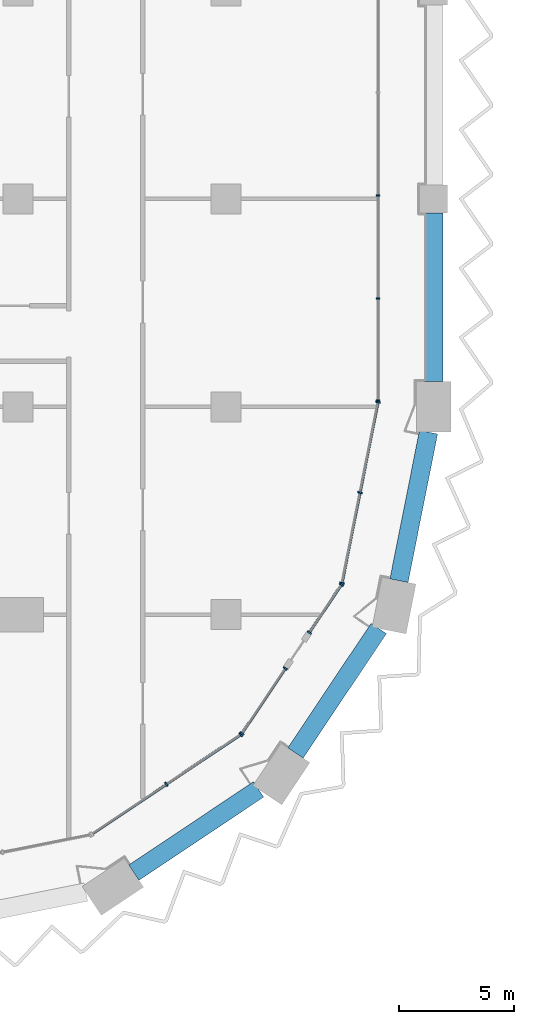
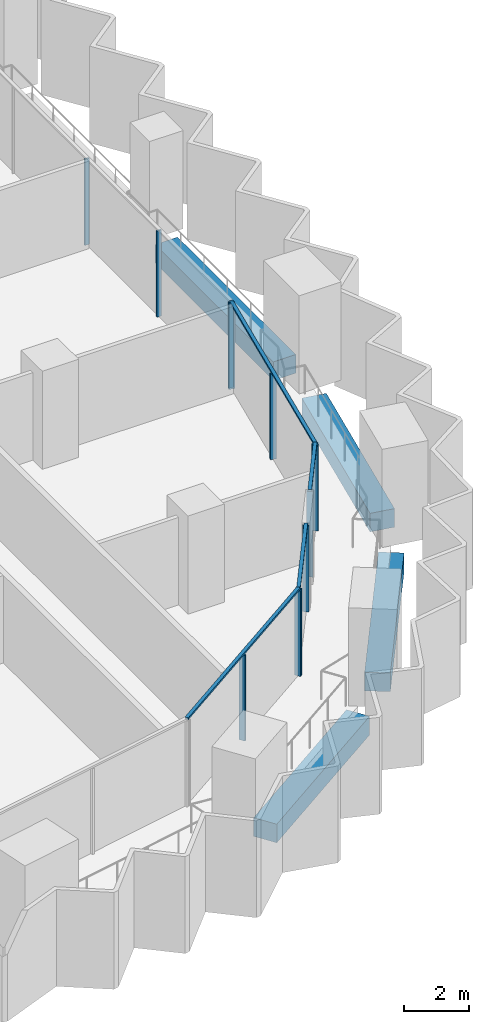
# One storey, part 3 of 22: 16 members, 4 beams, 5 elements without a shape of their own.
"""IFC4 building model written with IfcOpenShell, lengths in metres."""

from ifc_helpers import new_model, si_unit, direction, frame, origin, origin_2d, place, context, subcontext, project, spatial, rectangle, extrude, material, material_profile, profile_set, type_object, element, aggregate, save


model = new_model("IFC4")

# Units and contexts
model_context = context("Model", 3, precision=1e-05, world=origin(), true_north=direction((0.0, 1.0)))
body_context = subcontext(model_context, "Body", "Model", "MODEL_VIEW")
ifc_project = project(units=[si_unit("LENGTHUNIT", "METRE"), si_unit("AREAUNIT", "SQUARE_METRE"), si_unit("VOLUMEUNIT", "CUBIC_METRE"), si_unit("PLANEANGLEUNIT", "RADIAN"), si_unit("MASSUNIT", "GRAM", prefix="KILO")], contexts=[model_context])

# Site, building, storey
site_placement = place(None, origin())
site = spatial("IfcSite", under=ifc_project, at=site_placement, CompositionType="ELEMENT")
building_placement = place(site_placement, origin())
building = spatial("IfcBuilding", under=site, at=building_placement, Name="Hunhe Ridgeline Campus", CompositionType="ELEMENT")
storey_placement = place(building_placement, frame((0.0, 0.0, 114.39990234375)))
storey = spatial("IfcBuildingStorey", under=building, at=storey_placement, Name="L28", CompositionType="ELEMENT", Elevation=114.39990234375)

# Curtain wall, members
ifc_material_1 = material(Name="Aluminium 6063", Category="aluminium")
curtain_wall_type_1 = type_object("IfcCurtainWallType", Name="Curtain wall CW-1", PredefinedType="NOTDEFINED", material=ifc_material_1)
curtain_wall_1_placement = place(storey_placement, origin())
curtain_wall_1 = element("IfcCurtainWall", 1, at=curtain_wall_1_placement, inside=storey, type_object=curtain_wall_type_1, Name="Curtain wall 11", PredefinedType="NOTDEFINED")
ifc_material_profile_1 = material_profile(ifc_material_1, rectangle(XDim=0.159912109375, YDim=0.06005859375, at=origin_2d()))
ifc_profile_set_1 = profile_set([ifc_material_profile_1], Name="Aluminium 6063")
member_type_1 = type_object("IfcMemberType", Name="CW-1 aluminium mullion", PredefinedType="MULLION", material=ifc_profile_set_1)
member_1_placement = place(storey_placement, frame((42.59912109375, 27.266357421875, 0.0), z_axis=(0.0, 0.0, 1.0), x_axis=(-0.99999999994, 1.0947456e-05, 0.0)))
member_1 = element("IfcMember", 2, at=member_1_placement, type_object=member_type_1, Name="CW-1 mullion 1", PredefinedType="MULLION", context=body_context, shape_type="SweptSolid", body=[
    extrude(rectangle(XDim=0.159912109375, YDim=0.06005859375, at=origin_2d()), origin(), (0.0, 0.0, 1.0), 3.239990234375),
])
member_2_placement = place(storey_placement, frame((42.59912109375, 31.697265625, 0.0), z_axis=(0.0, 0.0, 1.0), x_axis=(-0.99999999994, 1.0947456e-05, 0.0)))
member_2 = element("IfcMember", 3, at=member_2_placement, type_object=member_type_1, Name="CW-1 mullion 2", PredefinedType="MULLION", context=body_context, shape_type="SweptSolid", body=[
    extrude(rectangle(XDim=0.159912109375, YDim=0.06005859375, at=origin_2d()), origin(), (0.0, 0.0, 1.0), 3.239990234375),
])
member_3_placement = place(storey_placement, frame((42.59912109375, 36.157958984375, 0.0), z_axis=(0.0, 0.0, 1.0), x_axis=(-0.99999999994, 1.0947456e-05, 0.0)))
member_3 = element("IfcMember", 4, at=member_3_placement, type_object=member_type_1, Name="CW-1 mullion 3", PredefinedType="MULLION", context=body_context, shape_type="SweptSolid", body=[
    extrude(rectangle(XDim=0.159912109375, YDim=0.06005859375, at=origin_2d()), origin(), (0.0, 0.0, 1.0), 3.239990234375),
])
aggregate(curtain_wall_1, [member_1, member_2, member_3])

curtain_wall_type_2 = type_object("IfcCurtainWallType", Name="Curtain wall CW-5", PredefinedType="NOTDEFINED", material=ifc_material_1)
curtain_wall_2_placement = place(storey_placement, origin())
curtain_wall_2 = element("IfcCurtainWall", 5, at=curtain_wall_2_placement, inside=storey, type_object=curtain_wall_type_2, Name="Curtain wall 07", PredefinedType="NOTDEFINED")
ifc_material_profile_2 = material_profile(ifc_material_1, rectangle(XDim=0.199951171875, YDim=0.070068359375, at=origin_2d()))
ifc_profile_set_2 = profile_set([ifc_material_profile_2], Name="Aluminium 6063")
member_type_2 = type_object("IfcMemberType", Name="CW-5 aluminium mullion", PredefinedType="MULLION", material=ifc_profile_set_2)
member_4_placement = place(storey_placement, frame((33.42626953125, 10.647705078125, 0.0), z_axis=(0.0, 0.0, 1.0), x_axis=(-0.555570274596, 0.831469584522, 0.0)))
member_4 = element("IfcMember", 6, at=member_4_placement, type_object=member_type_2, Name="CW-5 mullion 2", PredefinedType="MULLION", context=body_context, shape_type="SweptSolid", body=[
    extrude(rectangle(XDim=0.199951171875, YDim=0.070068359375, at=origin_2d()), origin(), (0.0, 0.0, 1.0), 3.22998046875),
])
member_5_placement = place(storey_placement, frame((36.649658203125, 12.8017578125, 0.0), z_axis=(0.0, 0.0, 1.0), x_axis=(-0.555570274596, 0.831469584522, 0.0)))
member_5 = element("IfcMember", 7, at=member_5_placement, type_object=member_type_2, Name="CW-5 mullion 3", PredefinedType="MULLION", context=body_context, shape_type="SweptSolid", body=[
    extrude(rectangle(XDim=0.199951171875, YDim=0.070068359375, at=origin_2d()), origin(), (0.0, 0.0, 1.0), 3.22998046875),
])

curtain_wall_3_placement = place(storey_placement, origin())
curtain_wall_3 = element("IfcCurtainWall", 8, at=curtain_wall_3_placement, inside=storey, type_object=curtain_wall_type_2, Name="Curtain wall 08", PredefinedType="NOTDEFINED")
member_6_placement = place(storey_placement, frame((36.6982421875, 12.850341796875, 0.0), z_axis=(0.0, 0.0, 1.0), x_axis=(-0.831469595944, 0.555570257501, 0.0)))
member_6 = element("IfcMember", 9, at=member_6_placement, type_object=member_type_2, Name="CW-5 mullion 1", PredefinedType="MULLION", context=body_context, shape_type="SweptSolid", body=[
    extrude(rectangle(XDim=0.199951171875, YDim=0.070068359375, at=origin_2d()), origin(), (0.0, 0.0, 1.0), 3.22998046875),
])
member_7_placement = place(storey_placement, frame((38.582763671875, 15.67041015625, 0.0), z_axis=(0.0, 0.0, 1.0), x_axis=(-0.831469595944, 0.555570257501, 0.0)))
member_7 = element("IfcMember", 10, at=member_7_placement, type_object=member_type_2, Name="CW-5 mullion 2", PredefinedType="MULLION", context=body_context, shape_type="SweptSolid", body=[
    extrude(rectangle(XDim=0.199951171875, YDim=0.070068359375, at=origin_2d()), origin(), (0.0, 0.0, 1.0), 3.22998046875),
])

curtain_wall_4_placement = place(storey_placement, origin())
curtain_wall_4 = element("IfcCurtainWall", 11, at=curtain_wall_4_placement, inside=storey, type_object=curtain_wall_type_2, Name="Curtain wall 09", PredefinedType="NOTDEFINED")
member_8_placement = place(storey_placement, frame((39.62158203125, 17.225341796875, 0.0), z_axis=(0.0, 0.0, 1.0), x_axis=(-0.831469510353, 0.555570385598, 0.0)))
member_8 = element("IfcMember", 12, at=member_8_placement, type_object=member_type_2, Name="CW-5 mullion 1", PredefinedType="MULLION", context=body_context, shape_type="SweptSolid", body=[
    extrude(rectangle(XDim=0.199951171875, YDim=0.070068359375, at=origin_2d()), origin(), (0.0, 0.0, 1.0), 3.22998046875),
])
member_9_placement = place(storey_placement, frame((41.006103515625, 19.29736328125, 0.0), z_axis=(0.0, 0.0, 1.0), x_axis=(-0.831469510353, 0.555570385598, 0.0)))
member_9 = element("IfcMember", 13, at=member_9_placement, type_object=member_type_2, Name="CW-5 mullion 2", PredefinedType="MULLION", context=body_context, shape_type="SweptSolid", body=[
    extrude(rectangle(XDim=0.199951171875, YDim=0.070068359375, at=origin_2d()), origin(), (0.0, 0.0, 1.0), 3.22998046875),
])

curtain_wall_5_placement = place(storey_placement, origin())
curtain_wall_5 = element("IfcCurtainWall", 14, at=curtain_wall_5_placement, inside=storey, type_object=curtain_wall_type_2, Name="Curtain wall 10", PredefinedType="NOTDEFINED")
member_10_placement = place(storey_placement, frame((41.032470703125, 19.36083984375, 0.0), z_axis=(0.0, 0.0, 1.0), x_axis=(-0.980785284939, 0.195090299215, 0.0)))
member_10 = element("IfcMember", 15, at=member_10_placement, type_object=member_type_2, Name="CW-5 mullion 1", PredefinedType="MULLION", context=body_context, shape_type="SweptSolid", body=[
    extrude(rectangle(XDim=0.199951171875, YDim=0.070068359375, at=origin_2d()), origin(), (0.0, 0.0, 1.0), 3.22998046875),
])
member_11_placement = place(storey_placement, frame((41.812255859375, 23.281494140625, 0.0), z_axis=(0.0, 0.0, 1.0), x_axis=(-0.980785284939, 0.195090299215, 0.0)))
member_11 = element("IfcMember", 16, at=member_11_placement, type_object=member_type_2, Name="CW-5 mullion 2", PredefinedType="MULLION", context=body_context, shape_type="SweptSolid", body=[
    extrude(rectangle(XDim=0.199951171875, YDim=0.070068359375, at=origin_2d()), origin(), (0.0, 0.0, 1.0), 3.22998046875),
])
member_12_placement = place(storey_placement, frame((42.59228515625, 27.2021484375, 0.0), z_axis=(0.0, 0.0, 1.0), x_axis=(-0.980785284939, 0.195090299215, 0.0)))
member_12 = element("IfcMember", 17, at=member_12_placement, type_object=member_type_2, Name="CW-5 mullion 3", PredefinedType="MULLION", context=body_context, shape_type="SweptSolid", body=[
    extrude(rectangle(XDim=0.199951171875, YDim=0.070068359375, at=origin_2d()), origin(), (0.0, 0.0, 1.0), 3.22998046875),
])

# Member
ifc_material_profile_3 = material_profile(ifc_material_1, rectangle(XDim=0.1201171875, YDim=0.070068359375, at=origin_2d()))
ifc_profile_set_3 = profile_set([ifc_material_profile_3], Name="Aluminium 6063")
member_type_3 = type_object("IfcMemberType", Name="CW-5 aluminium transom", PredefinedType="USERDEFINED", material=ifc_profile_set_3)
member_13_placement = place(storey_placement, frame((30.173583984375, 8.474365234375, 3.26513671875), z_axis=(0.831473763475, 0.5555640203, 0.0), x_axis=(-0.5555640203, 0.831473763475, 0.0)))
member_13 = element("IfcMember", 18, at=member_13_placement, type_object=member_type_3, Name="CW-5 transom 1", ObjectType="TRANSOM", PredefinedType="USERDEFINED", context=body_context, shape_type="SweptSolid", body=[
    extrude(rectangle(XDim=0.1201171875, YDim=0.070068359375, at=origin_2d()), origin(), (0.0, 0.0, 1.0), 7.823974609375),
])

aggregate(curtain_wall_2, [member_13, member_4, member_5])

member_14_placement = place(storey_placement, frame((36.678955078125, 12.821044921875, 3.26513671875), z_axis=(0.555546133463, 0.831485714606, 0.0), x_axis=(-0.831485714606, 0.555546133463, 0.0)))
member_14 = element("IfcMember", 19, at=member_14_placement, type_object=member_type_3, Name="CW-5 transom 1", ObjectType="TRANSOM", PredefinedType="USERDEFINED", context=body_context, shape_type="SweptSolid", body=[
    extrude(rectangle(XDim=0.1201171875, YDim=0.070068359375, at=origin_2d()), origin(), (0.0, 0.0, 1.0), 3.462158203125),
])

aggregate(curtain_wall_3, [member_14, member_6, member_7])

member_15_placement = place(storey_placement, frame((39.602294921875, 17.1962890625, 3.26513671875), z_axis=(0.555579547735, 0.831463388334, 0.0), x_axis=(-0.831463388334, 0.555579547735, 0.0)))
member_15 = element("IfcMember", 20, at=member_15_placement, type_object=member_type_3, Name="CW-5 transom 1", ObjectType="TRANSOM", PredefinedType="USERDEFINED", context=body_context, shape_type="SweptSolid", body=[
    extrude(rectangle(XDim=0.1201171875, YDim=0.070068359375, at=origin_2d()), origin(), (0.0, 0.0, 1.0), 2.56201171875),
])

aggregate(curtain_wall_4, [member_15, member_8, member_9])

member_16_placement = place(storey_placement, frame((41.025634765625, 19.326416015625, 3.26513671875), z_axis=(0.195097290093, 0.980783894341, 0.0), x_axis=(-0.980783894341, 0.195097290093, 0.0)))
member_16 = element("IfcMember", 21, at=member_16_placement, type_object=member_type_3, Name="CW-5 transom 1", ObjectType="TRANSOM", PredefinedType="USERDEFINED", context=body_context, shape_type="SweptSolid", body=[
    extrude(rectangle(XDim=0.1201171875, YDim=0.070068359375, at=origin_2d()), origin(), (0.0, 0.0, 1.0), 8.065185546875),
])

aggregate(curtain_wall_5, [member_16, member_10, member_11, member_12])

# Beams
ifc_material_2 = material(Name="Concrete C60", Category="concrete")
ifc_material_profile_4 = material_profile(ifc_material_2, rectangle(XDim=0.800048828125, YDim=0.699951171875, at=origin_2d()))
ifc_profile_set_4 = profile_set([ifc_material_profile_4], Name="Concrete C60")
beam_type = type_object("IfcBeamType", Name="RC spandrel beam 800x700 Concrete C60", PredefinedType="SPANDREL", material=ifc_profile_set_4)
for number, where, z_axis, x_axis, name in (
    (22, (32.02490234375, 6.82373046875, -0.599853515625), (0.831459384183, 0.555585540178, 0.0), (-0.555585540178, 0.831459384183, 0.0), "Spandrel beam B1-6 L28"),
    (23, (39.02099609375, 12.004638671875, -0.599853515625), (0.555559527577, 0.831476765351, 0.0), (-0.831476765351, 0.555559527577, 0.0), "Spandrel beam B1-7 L28"),
):
    element("IfcBeam", number, at=place(storey_placement, frame(where, z_axis=z_axis, x_axis=x_axis)), inside=storey, type_object=beam_type, Name=name, PredefinedType="SPANDREL", context=body_context, shape_type="SweptSolid", body=[
        extrude(rectangle(XDim=0.800048828125, YDim=0.699951171875, at=origin_2d()), origin(), (0.0, 0.0, 1.0), 6.488525390625),
    ])
beam_1_placement = place(storey_placement, frame((43.501953125, 19.468505859375, -0.599853515625), z_axis=(0.195092166671, 0.980784913477, 0.0), x_axis=(-0.980784913477, 0.195092166671, 0.0)))
element("IfcBeam", 24, at=beam_1_placement, inside=storey, type_object=beam_type, Name="Spandrel beam B1-8 L28", PredefinedType="SPANDREL", context=body_context, shape_type="SweptSolid", body=[
    extrude(rectangle(XDim=0.800048828125, YDim=0.699951171875, at=origin_2d()), origin(), (0.0, 0.0, 1.0), 6.557373046875),
])
beam_2_placement = place(storey_placement, frame((45.0, 28.10009765625, -0.599853515625), z_axis=(0.0, 1.0, 0.0), x_axis=(-1.0, 0.0, 0.0)))
element("IfcBeam", 25, at=beam_2_placement, inside=storey, type_object=beam_type, Name="Spandrel beam B1-9 L28", PredefinedType="SPANDREL", context=body_context, shape_type="SweptSolid", body=[
    extrude(rectangle(XDim=0.800048828125, YDim=0.699951171875, at=origin_2d()), origin(), (0.0, 0.0, 1.0), 7.2998046875),
])

save(model, "model.ifc")
